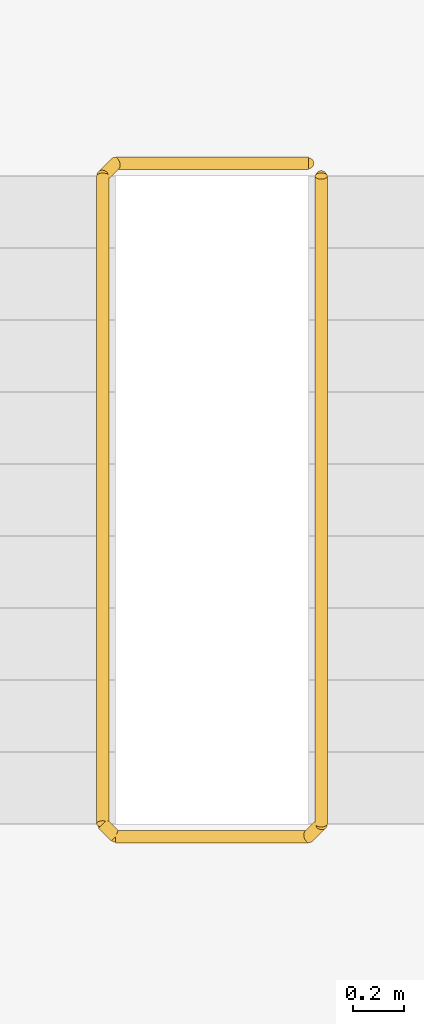
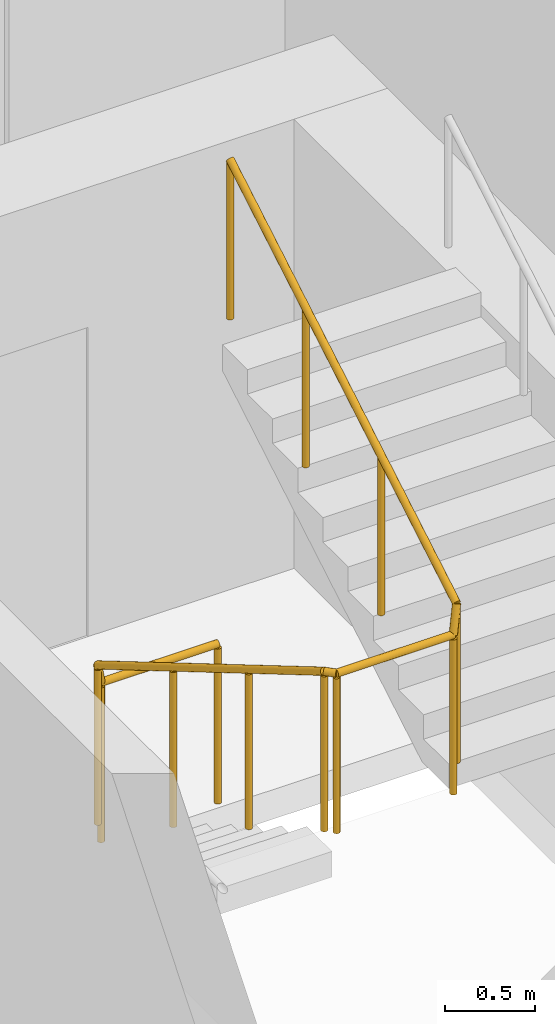
# One storey, part 10 of 11: 1 railing.
"""IFC4 building model written with IfcOpenShell, lengths in metres."""

from ifc_helpers import new_model, si_unit, direction, frame, origin, origin_2d, place, context, subcontext, project, spatial, circle, extrude, material, type_object, element, save


model = new_model("IFC4")

# Units and contexts
model_context = context("Model", 3, precision=1e-05, world=origin(), true_north=direction((0.0, 1.0)))
body_context = subcontext(model_context, "Body", "Model", "MODEL_VIEW")
ifc_project = project(units=[si_unit("LENGTHUNIT", "METRE"), si_unit("AREAUNIT", "SQUARE_METRE"), si_unit("VOLUMEUNIT", "CUBIC_METRE"), si_unit("PLANEANGLEUNIT", "RADIAN"), si_unit("MASSUNIT", "GRAM", prefix="KILO")], contexts=[model_context])

# Site, building, storey
site_placement = place(None, origin())
site = spatial("IfcSite", under=ifc_project, at=site_placement, CompositionType="ELEMENT")
building_placement = place(site_placement, origin())
building = spatial("IfcBuilding", under=site, at=building_placement, Name="Amberfall Residences", CompositionType="ELEMENT")
storey_placement = place(building_placement, frame((0.0, 0.0, 196.89990234375)))
storey = spatial("IfcBuildingStorey", under=building, at=storey_placement, Name="L52", CompositionType="ELEMENT", Elevation=196.89990234375)

# Railing
ifc_material = material(Name="Stainless steel 316", Category="steel")
railing_type = type_object("IfcRailingType", Name="Stair guard 1100", PredefinedType="GUARDRAIL", material=ifc_material)
railing_placement = place(storey_placement, frame((84.39990234375, 55.14990234375, 0.0)))
element("IfcRailing", 1, at=railing_placement, inside=storey, type_object=railing_type, Name="L52 stair 3 guard", PredefinedType="GUARDRAIL", context=body_context, shape_type="SweptSolid", body=[
    extrude(circle(Radius=0.02392578125, at=origin_2d()), frame((0.0, 0.0, 1.076171875), z_axis=(-1.0, 0.0, 0.0), x_axis=(0.0, -1.0, 0.0)), (0.0, 0.0, 1.0), 0.75),
    extrude(circle(Radius=0.02392578125, at=origin_2d()), frame((-0.75, 0.0, 1.076171875), z_axis=(-0.27755538755, -0.27755538755, 0.919742362667), x_axis=(0.707106781187, -0.707106781187, 0.0)), (0.0, 0.0, 1.0), 0.179443359375),
    extrude(circle(Radius=0.02392578125, at=origin_2d()), frame((-0.7998046875, -0.0498046875, 1.2412109375), z_axis=(0.0, -0.86152411907, 0.507716645641), x_axis=(1.0, 0.0, 0.0)), (0.0, 0.0, 1.0), 2.925048828125),
    extrude(circle(Radius=0.02392578125, at=origin_2d()), frame((-0.7998046875, -2.56982421875, 2.72607421875), z_axis=(0.705375805398, -0.708833529934, 0.0), x_axis=(0.708833529934, 0.705375805398, 0.0)), (0.0, 0.0, 1.0), 0.070556640625),
    extrude(circle(Radius=0.02392578125, at=origin_2d()), frame((-0.75, -2.619873046875, 2.72607421875), z_axis=(1.0, 0.0, 0.0), x_axis=(0.0, 1.0, 0.0)), (0.0, 0.0, 1.0), 0.75),
    extrude(circle(Radius=0.02392578125, at=origin_2d()), frame((0.0, -2.619873046875, 2.72607421875), z_axis=(0.278705021027, 0.278705021027, 0.919046801044), x_axis=(-0.707106781187, 0.707106781187, 0.0)), (0.0, 0.0, 1.0), 0.1796875),
    extrude(circle(Radius=0.02392578125, at=origin_2d()), frame((0.050048828125, -2.56982421875, 2.89111328125), z_axis=(0.0, 0.861560626758, 0.507654692109), x_axis=(-1.0, 0.0, 0.0)), (0.0, 0.0, 1.0), 2.925048828125),
    extrude(circle(Radius=0.02099609375, at=origin_2d()), origin(), (0.0, 0.0, 1.0), 1.052001953125),
    extrude(circle(Radius=0.02099609375, at=origin_2d()), frame((-0.75, 0.0, 0.0)), (0.0, 0.0, 1.0), 1.052001953125),
    extrude(circle(Radius=0.02099609375, at=origin_2d()), frame((-0.7998046875, -0.0498046875, 0.1650390625)), (0.0, 0.0, 1.0), 1.052001953125),
    extrude(circle(Radius=0.02099609375, at=origin_2d()), frame((-0.7998046875, -0.889892578125, 0.66015625)), (0.0, 0.0, 1.0), 1.052001953125),
    extrude(circle(Radius=0.02099609375, at=origin_2d()), frame((-0.7998046875, -1.729736328125, 1.155029296875)), (0.0, 0.0, 1.0), 1.052001953125),
    extrude(circle(Radius=0.02099609375, at=origin_2d()), frame((-0.7998046875, -2.56982421875, 1.650146484375)), (0.0, 0.0, 1.0), 1.052001953125),
    extrude(circle(Radius=0.02099609375, at=origin_2d()), frame((-0.75, -2.619873046875, 1.650146484375)), (0.0, 0.0, 1.0), 1.052001953125),
    extrude(circle(Radius=0.02099609375, at=origin_2d()), frame((0.0, -2.619873046875, 1.650146484375)), (0.0, 0.0, 1.0), 1.052001953125),
    extrude(circle(Radius=0.02099609375, at=origin_2d()), frame((0.050048828125, -2.56982421875, 1.815185546875)), (0.0, 0.0, 1.0), 1.052001953125),
    extrude(circle(Radius=0.02099609375, at=origin_2d()), frame((0.050048828125, -1.729736328125, 2.31005859375)), (0.0, 0.0, 1.0), 1.052001953125),
    extrude(circle(Radius=0.02099609375, at=origin_2d()), frame((0.050048828125, -0.889892578125, 2.80517578125)), (0.0, 0.0, 1.0), 1.052001953125),
    extrude(circle(Radius=0.02099609375, at=origin_2d()), frame((0.050048828125, -0.0498046875, 3.300048828125)), (0.0, 0.0, 1.0), 1.052001953125),
])

save(model, "model.ifc")
